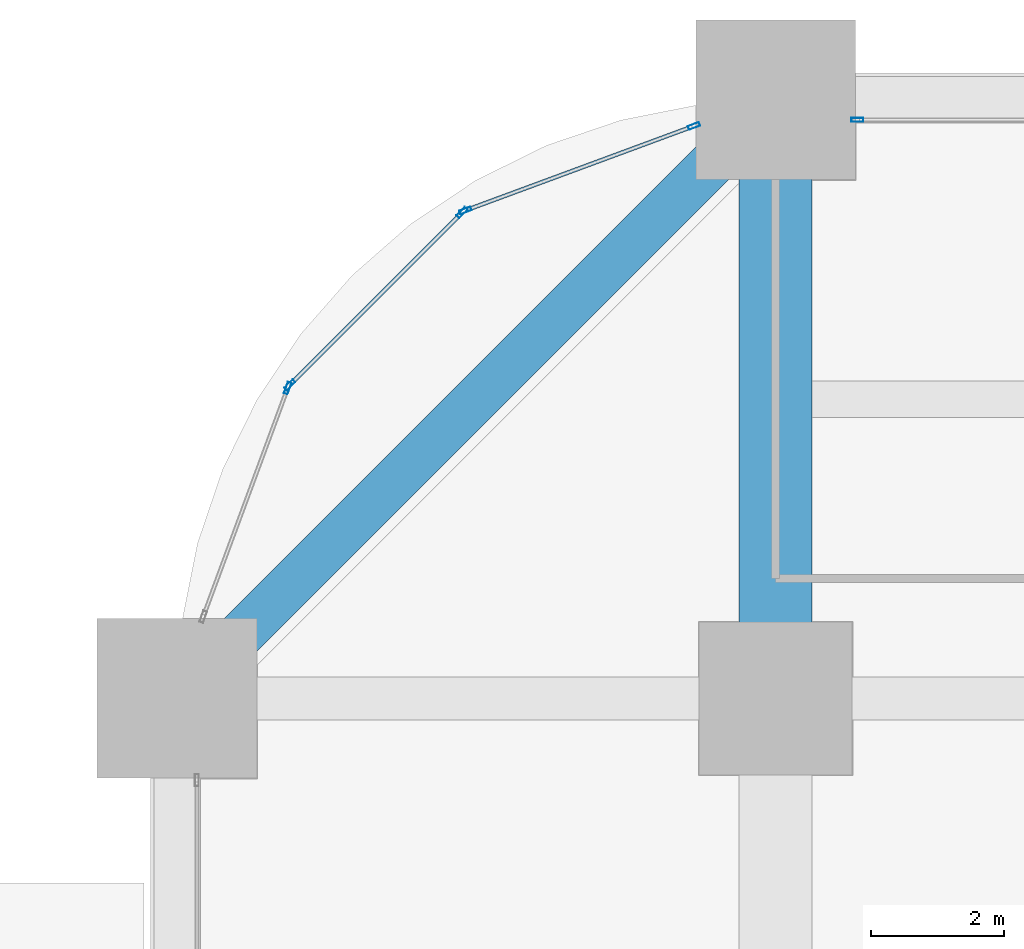
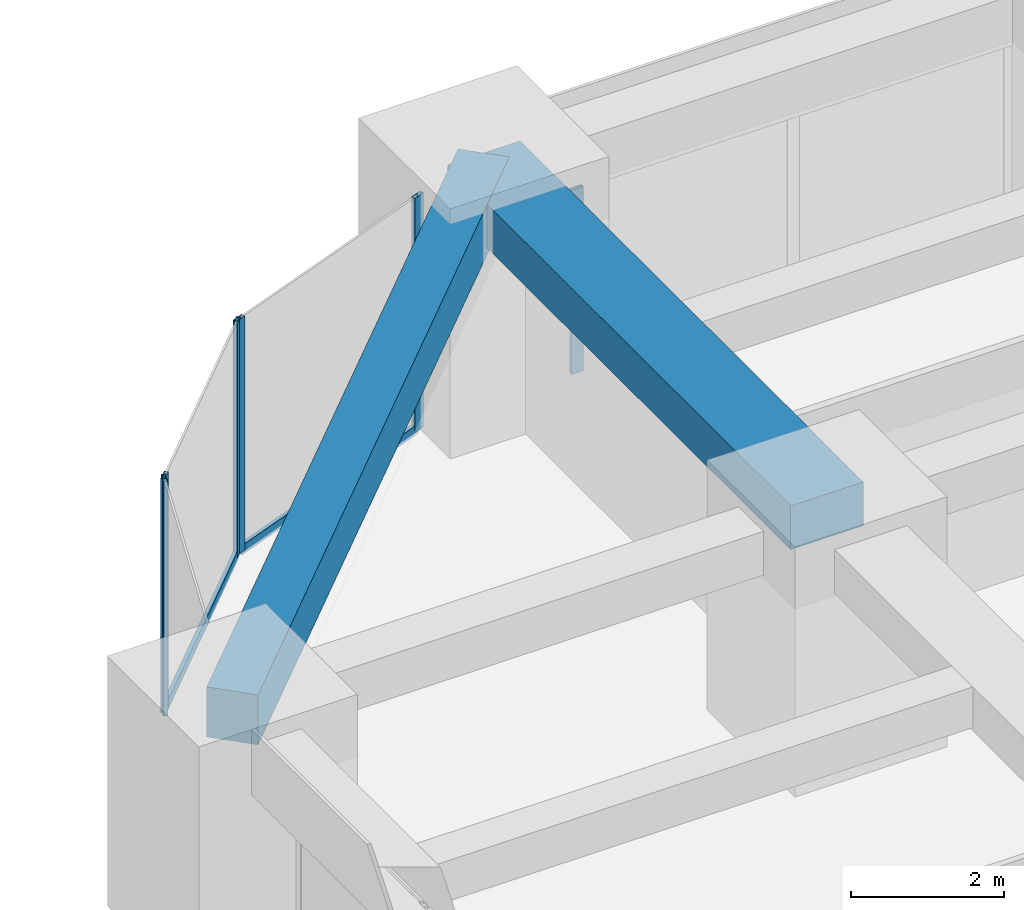
# One storey, part 18 of 39: 8 members, 2 beams, 4 elements without a shape of their own.
"""IFC4 building model written with IfcOpenShell, lengths in metres."""

from ifc_helpers import new_model, si_unit, direction, frame, origin, origin_2d, place, context, subcontext, project, spatial, rectangle, hollow_rectangle, extrude, material, material_profile, profile_set, type_object, element, aggregate, save


model = new_model("IFC4")

# Units and contexts
model_context = context("Model", 3, precision=1e-05, world=origin(), true_north=direction((0.0, 1.0)))
body_context = subcontext(model_context, "Body", "Model", "MODEL_VIEW")
ifc_project = project(units=[si_unit("LENGTHUNIT", "METRE"), si_unit("AREAUNIT", "SQUARE_METRE"), si_unit("VOLUMEUNIT", "CUBIC_METRE"), si_unit("PLANEANGLEUNIT", "RADIAN"), si_unit("MASSUNIT", "GRAM", prefix="KILO")], contexts=[model_context])

# Site, building, storey
site_placement = place(None, origin())
site = spatial("IfcSite", under=ifc_project, at=site_placement, CompositionType="ELEMENT")
building_placement = place(site_placement, origin())
building = spatial("IfcBuilding", under=site, at=building_placement, Name="Zorevar Civic Tower", CompositionType="ELEMENT")
storey_placement = place(building_placement, frame((0.0, 0.0, 19.800048828125)))
storey = spatial("IfcBuildingStorey", under=building, at=storey_placement, Name="L04", CompositionType="ELEMENT", Elevation=19.800048828125)

# Beam
ifc_material_1 = material(Name="Concrete C50/60", Category="concrete")
ifc_material_profile_1 = material_profile(ifc_material_1, rectangle(XDim=1.10009765625, YDim=0.699951171875, at=origin_2d()), Name="RC 1100x700")
ifc_profile_set_1 = profile_set([ifc_material_profile_1], Name="Concrete C50/60")
beam_type_1 = type_object("IfcBeamType", Name="Beam RC 1100x700", PredefinedType="BEAM", material=ifc_profile_set_1)
beam_1_placement = place(storey_placement, frame((9.0, 45.0, 3.39990234375), z_axis=(0.0, 1.0, 0.0), x_axis=(-1.0, 0.0, 0.0)))
element("IfcBeam", 1, at=beam_1_placement, inside=storey, type_object=beam_type_1, Name="Girder L05", PredefinedType="BEAM", context=body_context, shape_type="SweptSolid", body=[
    extrude(rectangle(XDim=1.10009765625, YDim=0.699951171875, at=origin_2d()), origin(), (0.0, 0.0, 1.0), 9.0),
])

# Curtain wall, member
ifc_material_2 = material(Name="Dark grey solar-control glass in black aluminium frame", Category="aluminium")
curtain_wall_type = type_object("IfcCurtainWallType", Name="Curtain wall CW2 low zone", PredefinedType="NOTDEFINED", material=ifc_material_2)
curtain_wall_1_placement = place(storey_placement, origin())
curtain_wall_1 = element("IfcCurtainWall", 2, at=curtain_wall_1_placement, inside=storey, type_object=curtain_wall_type, Name="CW2 L04", PredefinedType="NOTDEFINED")
ifc_material_3 = material(Name="Aluminium, black anodised", Category="aluminium")
ifc_material_profile_2 = material_profile(ifc_material_3, hollow_rectangle(XDim=0.06005859375, YDim=0.179931640625, WallThickness=0.00390625, at=origin_2d()), Name="AL 180x60x4")
ifc_profile_set_2 = profile_set([ifc_material_profile_2], Name="Aluminium, black anodised")
member_type_1 = type_object("IfcMemberType", Name="CW2 mullion AL 180x60x4", PredefinedType="MULLION", material=ifc_profile_set_2)
member_1_placement = place(storey_placement, frame((10.22998046875, 53.699951171875, 0.0), z_axis=(0.0, 0.0, 1.0), x_axis=(0.0, 1.0, 0.0)))
member_1 = element("IfcMember", 3, at=member_1_placement, type_object=member_type_1, Name="CW2 mullion 1", PredefinedType="MULLION", context=body_context, shape_type="SweptSolid", body=[
    extrude(hollow_rectangle(XDim=0.06005859375, YDim=0.179931640625, WallThickness=0.00390625, at=origin_2d()), origin(), (0.0, 0.0, 1.0), 2.949951171875),
])
aggregate(curtain_wall_1, [member_1])

# Curtain wall, members
curtain_wall_2_placement = place(storey_placement, origin())
curtain_wall_2 = element("IfcCurtainWall", 4, at=curtain_wall_2_placement, inside=storey, type_object=curtain_wall_type, Name="CW2 L04", PredefinedType="NOTDEFINED")
member_2_placement = place(storey_placement, frame((7.77197265625, 53.6064453125, 0.0), z_axis=(0.0, 0.0, 1.0), x_axis=(0.346704012033, -0.937974588163, 0.0)))
member_2 = element("IfcMember", 5, at=member_2_placement, type_object=member_type_1, Name="CW2 mullion 1", PredefinedType="MULLION", context=body_context, shape_type="SweptSolid", body=[
    extrude(hollow_rectangle(XDim=0.06005859375, YDim=0.179931640625, WallThickness=0.00390625, at=origin_2d()), origin(), (0.0, 0.0, 1.0), 3.75),
])
member_3_placement = place(storey_placement, frame((4.33544921875, 52.336181640625, 0.0), z_axis=(0.0, 0.0, 1.0), x_axis=(0.346704012033, -0.937974588163, 0.0)))
member_3 = element("IfcMember", 6, at=member_3_placement, type_object=member_type_1, Name="CW2 mullion 2", PredefinedType="MULLION", context=body_context, shape_type="SweptSolid", body=[
    extrude(hollow_rectangle(XDim=0.06005859375, YDim=0.179931640625, WallThickness=0.00390625, at=origin_2d()), origin(), (0.0, 0.0, 1.0), 3.75),
])

curtain_wall_3_placement = place(storey_placement, origin())
curtain_wall_3 = element("IfcCurtainWall", 7, at=curtain_wall_3_placement, inside=storey, type_object=curtain_wall_type, Name="CW2 L04", PredefinedType="NOTDEFINED")
member_4_placement = place(storey_placement, frame((4.2861328125, 52.3046875, 0.0), z_axis=(0.0, 0.0, 1.0), x_axis=(0.707106781187, -0.707106781187, 0.0)))
member_4 = element("IfcMember", 8, at=member_4_placement, type_object=member_type_1, Name="CW2 mullion 1", PredefinedType="MULLION", context=body_context, shape_type="SweptSolid", body=[
    extrude(hollow_rectangle(XDim=0.06005859375, YDim=0.179931640625, WallThickness=0.00390625, at=origin_2d()), origin(), (0.0, 0.0, 1.0), 3.75),
])
member_5_placement = place(storey_placement, frame((1.6953125, 49.7138671875, 0.0), z_axis=(0.0, 0.0, 1.0), x_axis=(0.707106781187, -0.707106781187, 0.0)))
member_5 = element("IfcMember", 9, at=member_5_placement, type_object=member_type_1, Name="CW2 mullion 2", PredefinedType="MULLION", context=body_context, shape_type="SweptSolid", body=[
    extrude(hollow_rectangle(XDim=0.06005859375, YDim=0.179931640625, WallThickness=0.00390625, at=origin_2d()), origin(), (0.0, 0.0, 1.0), 3.75),
])

# Curtain wall, member
curtain_wall_4_placement = place(storey_placement, origin())
curtain_wall_4 = element("IfcCurtainWall", 10, at=curtain_wall_4_placement, inside=storey, type_object=curtain_wall_type, Name="CW2 L04", PredefinedType="NOTDEFINED")
member_6_placement = place(storey_placement, frame((1.663818359375, 49.66455078125, 0.0), z_axis=(0.0, 0.0, 1.0), x_axis=(0.937974588163, -0.346704012033, 0.0)))
member_6 = element("IfcMember", 11, at=member_6_placement, type_object=member_type_1, Name="CW2 mullion 1", PredefinedType="MULLION", context=body_context, shape_type="SweptSolid", body=[
    extrude(hollow_rectangle(XDim=0.06005859375, YDim=0.179931640625, WallThickness=0.00390625, at=origin_2d()), origin(), (0.0, 0.0, 1.0), 3.75),
])
aggregate(curtain_wall_4, [member_6])

# Member
ifc_material_4 = material(Name="Aluminium, black anodised", Category="aluminium")
ifc_material_profile_3 = material_profile(ifc_material_4, hollow_rectangle(XDim=0.06005859375, YDim=0.14990234375, WallThickness=0.00390625, at=origin_2d()), Name="AL 150x60x4")
ifc_profile_set_3 = profile_set([ifc_material_profile_3], Name="Aluminium, black anodised")
member_type_2 = type_object("IfcMemberType", Name="CW2 transom AL 150x60x4", PredefinedType="USERDEFINED", material=ifc_profile_set_3)
member_7_placement = place(storey_placement, frame((7.74365234375, 53.595947265625, 0.030029296875), z_axis=(-0.93798635741, -0.346672169799, 0.0), x_axis=(0.346672169799, -0.93798635741, 0.0)))
member_7 = element("IfcMember", 12, at=member_7_placement, type_object=member_type_2, Name="CW2 sill transom", ObjectType="TRANSOM", PredefinedType="USERDEFINED", context=body_context, shape_type="SweptSolid", body=[
    extrude(hollow_rectangle(XDim=0.06005859375, YDim=0.14990234375, WallThickness=0.00390625, at=origin_2d()), origin(), (0.0, 0.0, 1.0), 3.603515625),
])

aggregate(curtain_wall_2, [member_2, member_3, member_7])

member_8_placement = place(storey_placement, frame((4.264892578125, 52.283447265625, 0.030029296875), z_axis=(-0.707106781187, -0.707106781187, 0.0), x_axis=(0.707106781187, -0.707106781187, 0.0)))
member_8 = element("IfcMember", 13, at=member_8_placement, type_object=member_type_2, Name="CW2 sill transom", ObjectType="TRANSOM", PredefinedType="USERDEFINED", context=body_context, shape_type="SweptSolid", body=[
    extrude(hollow_rectangle(XDim=0.06005859375, YDim=0.14990234375, WallThickness=0.00390625, at=origin_2d()), origin(), (0.0, 0.0, 1.0), 3.60400390625),
])

aggregate(curtain_wall_3, [member_4, member_5, member_8])

# Beam
ifc_material_5 = material(Name="Concrete C50/60", Category="concrete")
ifc_material_profile_4 = material_profile(ifc_material_5, rectangle(XDim=0.699951171875, YDim=0.800048828125, at=origin_2d()), Name="RC 700x800")
ifc_profile_set_4 = profile_set([ifc_material_profile_4], Name="Concrete C50/60")
beam_type_2 = type_object("IfcBeamType", Name="Edge beam RC 700x800", PredefinedType="SPANDREL", material=ifc_profile_set_4)
beam_2_placement = place(storey_placement, frame((9.0, 54.0, 3.349853515625), z_axis=(-0.707106781187, -0.707106781187, 0.0), x_axis=(0.707106781187, -0.707106781187, 0.0)))
element("IfcBeam", 14, at=beam_2_placement, inside=storey, type_object=beam_type_2, Name="Corner edge beam L05", PredefinedType="SPANDREL", context=body_context, shape_type="SweptSolid", body=[
    extrude(rectangle(XDim=0.699951171875, YDim=0.800048828125, at=origin_2d()), origin(), (0.0, 0.0, 1.0), 12.72802734375),
])

save(model, "model.ifc")
